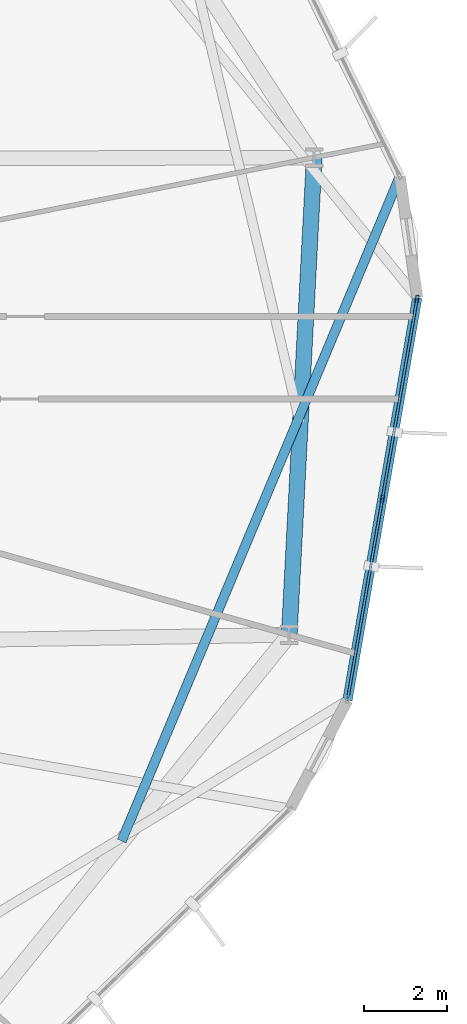
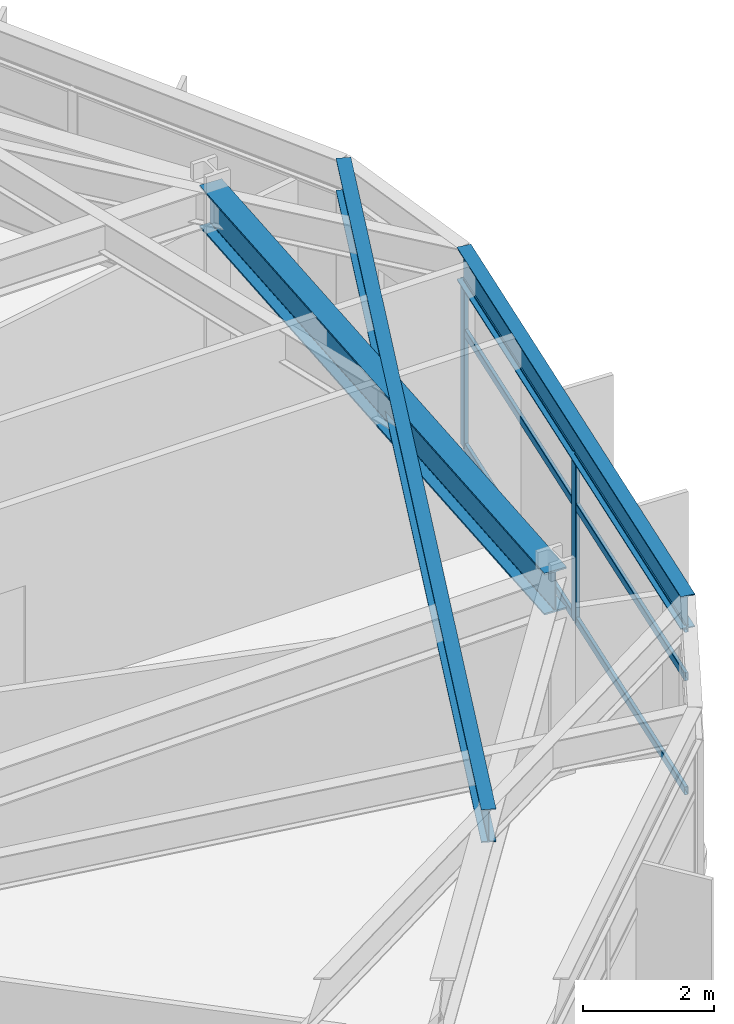
# One storey, part 9 of 22: 8 members, 3 beams, 1 element without a shape of its own.
"""IFC4 building model written with IfcOpenShell, lengths in metres."""

from ifc_helpers import new_model, si_unit, direction, frame, origin, origin_2d, place, context, subcontext, project, spatial, hollow_rectangle, i_section, extrude, material, layer, layer_set, material_profile, profile_set, type_object, element, aggregate, save


model = new_model("IFC4")

# Units and contexts
model_context = context("Model", 3, precision=1e-05, world=origin(), true_north=direction((0.0, 1.0)))
body_context = subcontext(model_context, "Body", "Model", "MODEL_VIEW")
ifc_project = project(units=[si_unit("LENGTHUNIT", "METRE"), si_unit("AREAUNIT", "SQUARE_METRE"), si_unit("VOLUMEUNIT", "CUBIC_METRE"), si_unit("PLANEANGLEUNIT", "RADIAN"), si_unit("MASSUNIT", "GRAM", prefix="KILO")], contexts=[model_context])

# Site, building, storey
site_placement = place(None, origin())
site = spatial("IfcSite", under=ifc_project, at=site_placement, CompositionType="ELEMENT")
building_placement = place(site_placement, origin())
building = spatial("IfcBuilding", under=site, at=building_placement, Name="Soratama Intermodal Tower", CompositionType="ELEMENT")
storey_placement = place(building_placement, frame((0.0, 0.0, 58.60009765625)))
storey = spatial("IfcBuildingStorey", under=building, at=storey_placement, Name="L13", CompositionType="ELEMENT", Elevation=58.60009765625)

# Beams
ifc_material_1 = material(Name="Structural steel ASTM A992 Grade 50", Category="steel")
ifc_material_profile_1 = material_profile(ifc_material_1, i_section(OverallWidth=0.382080078125, OverallDepth=0.779052734375, WebThickness=0.01806640625, FlangeThickness=0.030029296875, FilletRadius=0.01806640625, at=origin_2d()), Name="W30X191")
ifc_profile_set_1 = profile_set([ifc_material_profile_1], Name="Structural steel ASTM A992 Grade 50")
beam_type_1 = type_object("IfcBeamType", Name="BM-RING-W30X191", PredefinedType="BEAM", material=ifc_profile_set_1)
beam_1_placement = place(storey_placement, frame((62.47705078125, 18.291015625, 3.310302734375), z_axis=(0.052289698717, 0.998631957935, 0.0), x_axis=(-0.998631957935, 0.052289698717, 0.0)))
element("IfcBeam", 1, at=beam_1_placement, inside=storey, type_object=beam_type_1, Name="BM-L13-RING-10", PredefinedType="BEAM", context=body_context, shape_type="SweptSolid", body=[
    extrude(i_section(OverallWidth=0.382080078125, OverallDepth=0.779052734375, WebThickness=0.01806640625, FlangeThickness=0.030029296875, FilletRadius=0.01806640625, at=origin_2d()), origin(), (0.0, 0.0, 1.0), 11.56982421875),
])
ifc_material_2 = material(Name="Structural steel ASTM A992 Grade 50", Category="steel")
ifc_material_profile_2 = material_profile(ifc_material_2, i_section(OverallWidth=0.22900390625, OverallDepth=0.612060546875, WebThickness=0.011962890625, FlangeThickness=0.01953125, FilletRadius=0.012939453125, at=origin_2d()), Name="W24X84")
ifc_profile_set_2 = profile_set([ifc_material_profile_2], Name="Structural steel ASTM A992 Grade 50")
beam_type_2 = type_object("IfcBeamType", Name="BM-SPN-W24X84", PredefinedType="SPANDREL", material=ifc_profile_set_2)
beam_2_placement = place(storey_placement, frame((63.885986328125, 16.702880859375, 3.393798828125), z_axis=(0.170797583075, 0.985306138018, 0.0), x_axis=(-0.985306138018, 0.170797583075, 0.0)))
element("IfcBeam", 2, at=beam_2_placement, inside=storey, type_object=beam_type_2, Name="BS-L13-F10", PredefinedType="SPANDREL", context=body_context, shape_type="SweptSolid", body=[
    extrude(i_section(OverallWidth=0.22900390625, OverallDepth=0.612060546875, WebThickness=0.011962890625, FlangeThickness=0.01953125, FilletRadius=0.012939453125, at=origin_2d()), origin(), (0.0, 0.0, 1.0), 9.89453125),
])
ifc_material_3 = material(Name="Structural steel ASTM A992 Grade 50", Category="steel")
ifc_material_profile_3 = material_profile(ifc_material_3, i_section(OverallWidth=0.22900390625, OverallDepth=0.612060546875, WebThickness=0.011962890625, FlangeThickness=0.01953125, FilletRadius=0.012939453125, at=origin_2d()), Name="W24X84")
ifc_profile_set_3 = profile_set([ifc_material_profile_3], Name="Structural steel ASTM A992 Grade 50")
beam_type_3 = type_object("IfcBeamType", Name="BM-TIE-W24X84", PredefinedType="BEAM", material=ifc_profile_set_3)
beam_3_placement = place(storey_placement, frame((58.419921875, 13.299072265625, 3.393798828125), z_axis=(0.38612950195, 0.922444582467, 0.0), x_axis=(-0.922444582467, 0.38612950195, 0.0)))
element("IfcBeam", 3, at=beam_3_placement, inside=storey, type_object=beam_type_3, Name="BM-L13-TIE0-01", PredefinedType="BEAM", context=body_context, shape_type="SweptSolid", body=[
    extrude(i_section(OverallWidth=0.22900390625, OverallDepth=0.612060546875, WebThickness=0.011962890625, FlangeThickness=0.01953125, FilletRadius=0.012939453125, at=origin_2d()), origin(), (0.0, 0.0, 1.0), 17.442626953125),
])

# Curtain wall, members
ifc_material_4 = material(Name="Double-glazed aluminium curtain wall", Category="aluminium")
ifc_layer = layer(ifc_material_4, 0.159912109375)
ifc_layer_set = layer_set([ifc_layer], Name="Double-glazed aluminium curtain wall")
curtain_wall_type = type_object("IfcCurtainWallType", Name="CW-SYS-2", PredefinedType="NOTDEFINED", material=ifc_layer_set)
curtain_wall_placement = place(storey_placement, origin())
curtain_wall = element("IfcCurtainWall", 4, at=curtain_wall_placement, inside=storey, type_object=curtain_wall_type, Name="L13 Faceted Curtain Wall F10", PredefinedType="NOTDEFINED")
ifc_material_5 = material(Name="Anodised aluminium AA 6063-T6", Category="aluminium")
ifc_material_profile_4 = material_profile(ifc_material_5, hollow_rectangle(XDim=0.074951171875, YDim=0.179931640625, WallThickness=0.006103515625, InnerFilletRadius=0.006103515625, OuterFilletRadius=0.011962890625, at=origin_2d()), Name="CWM180X75X6")
ifc_profile_set_4 = profile_set([ifc_material_profile_4], Name="Anodised aluminium AA 6063-T6")
member_type_1 = type_object("IfcMemberType", Name="MT-CWM-2", PredefinedType="MULLION", material=ifc_profile_set_4)
member_1_placement = place(storey_placement, frame((64.73095703125, 21.57763671875, 0.0), z_axis=(0.0, 0.0, 1.0), x_axis=(-0.985288579812, 0.170898842866, 0.0)))
member_1 = element("IfcMember", 5, at=member_1_placement, type_object=member_type_1, Name="CW-2 mullion 2", PredefinedType="MULLION", context=body_context, shape_type="SweptSolid", body=[
    extrude(hollow_rectangle(XDim=0.074951171875, YDim=0.179931640625, WallThickness=0.006103515625, InnerFilletRadius=0.006103515625, OuterFilletRadius=0.011962890625, at=origin_2d()), origin(), (0.0, 0.0, 1.0), 3.078857421875),
])
member_2_placement = place(storey_placement, frame((65.5712890625, 26.42236328125, 0.0), z_axis=(0.0, 0.0, 1.0), x_axis=(-0.985288579812, 0.170898842866, 0.0)))
member_2 = element("IfcMember", 6, at=member_2_placement, type_object=member_type_1, Name="CW-2 mullion 3", PredefinedType="MULLION", context=body_context, shape_type="SweptSolid", body=[
    extrude(hollow_rectangle(XDim=0.074951171875, YDim=0.179931640625, WallThickness=0.006103515625, InnerFilletRadius=0.006103515625, OuterFilletRadius=0.011962890625, at=origin_2d()), origin(), (0.0, 0.0, 1.0), 3.078857421875),
])
ifc_material_6 = material(Name="Anodised aluminium AA 6063-T6", Category="aluminium")
ifc_material_profile_5 = material_profile(ifc_material_6, hollow_rectangle(XDim=0.06494140625, YDim=0.14990234375, WallThickness=0.0048828125, InnerFilletRadius=0.0048828125, OuterFilletRadius=0.010009765625, at=origin_2d()), Name="CWT150X65X5")
ifc_profile_set_5 = profile_set([ifc_material_profile_5], Name="Anodised aluminium AA 6063-T6")
member_type_2 = type_object("IfcMemberType", Name="TT-CWT-1", PredefinedType="USERDEFINED", material=ifc_profile_set_5)
member_3_placement = place(storey_placement, frame((63.895751953125, 16.762451171875, 0.02978515625), z_axis=(0.17089993507, 0.985288390367, 0.0), x_axis=(-0.985288390367, 0.17089993507, 0.0)))
member_3 = element("IfcMember", 7, at=member_3_placement, type_object=member_type_2, Name="CW-2 transom 1.1", ObjectType="TRANSOM", PredefinedType="USERDEFINED", context=body_context, shape_type="SweptSolid", body=[
    extrude(hollow_rectangle(XDim=0.06494140625, YDim=0.14990234375, WallThickness=0.0048828125, InnerFilletRadius=0.0048828125, OuterFilletRadius=0.010009765625, at=origin_2d()), origin(), (0.0, 0.0, 1.0), 4.857177734375),
])
member_4_placement = place(storey_placement, frame((63.895751953125, 16.762451171875, 2.14990234375), z_axis=(0.17089993507, 0.985288390367, 0.0), x_axis=(-0.985288390367, 0.17089993507, 0.0)))
member_4 = element("IfcMember", 8, at=member_4_placement, type_object=member_type_2, Name="CW-2 transom 1.2", ObjectType="TRANSOM", PredefinedType="USERDEFINED", context=body_context, shape_type="SweptSolid", body=[
    extrude(hollow_rectangle(XDim=0.06494140625, YDim=0.14990234375, WallThickness=0.0048828125, InnerFilletRadius=0.0048828125, OuterFilletRadius=0.010009765625, at=origin_2d()), origin(), (0.0, 0.0, 1.0), 4.857177734375),
])
member_5_placement = place(storey_placement, frame((63.895751953125, 16.762451171875, 3.048828125), z_axis=(0.17089993507, 0.985288390367, 0.0), x_axis=(-0.985288390367, 0.17089993507, 0.0)))
member_5 = element("IfcMember", 9, at=member_5_placement, type_object=member_type_2, Name="CW-2 transom 1.3", ObjectType="TRANSOM", PredefinedType="USERDEFINED", context=body_context, shape_type="SweptSolid", body=[
    extrude(hollow_rectangle(XDim=0.06494140625, YDim=0.14990234375, WallThickness=0.0048828125, InnerFilletRadius=0.0048828125, OuterFilletRadius=0.010009765625, at=origin_2d()), origin(), (0.0, 0.0, 1.0), 4.857177734375),
])
member_6_placement = place(storey_placement, frame((64.736083984375, 21.607177734375, 0.02978515625), z_axis=(0.17089993507, 0.985288390367, 0.0), x_axis=(-0.985288390367, 0.17089993507, 0.0)))
member_6 = element("IfcMember", 10, at=member_6_placement, type_object=member_type_2, Name="CW-2 transom 2.1", ObjectType="TRANSOM", PredefinedType="USERDEFINED", context=body_context, shape_type="SweptSolid", body=[
    extrude(hollow_rectangle(XDim=0.06494140625, YDim=0.14990234375, WallThickness=0.0048828125, InnerFilletRadius=0.0048828125, OuterFilletRadius=0.010009765625, at=origin_2d()), origin(), (0.0, 0.0, 1.0), 4.857177734375),
])
member_7_placement = place(storey_placement, frame((64.736083984375, 21.607177734375, 2.14990234375), z_axis=(0.17089993507, 0.985288390367, 0.0), x_axis=(-0.985288390367, 0.17089993507, 0.0)))
member_7 = element("IfcMember", 11, at=member_7_placement, type_object=member_type_2, Name="CW-2 transom 2.2", ObjectType="TRANSOM", PredefinedType="USERDEFINED", context=body_context, shape_type="SweptSolid", body=[
    extrude(hollow_rectangle(XDim=0.06494140625, YDim=0.14990234375, WallThickness=0.0048828125, InnerFilletRadius=0.0048828125, OuterFilletRadius=0.010009765625, at=origin_2d()), origin(), (0.0, 0.0, 1.0), 4.857177734375),
])
member_8_placement = place(storey_placement, frame((64.736083984375, 21.607177734375, 3.048828125), z_axis=(0.17089993507, 0.985288390367, 0.0), x_axis=(-0.985288390367, 0.17089993507, 0.0)))
member_8 = element("IfcMember", 12, at=member_8_placement, type_object=member_type_2, Name="CW-2 transom 2.3", ObjectType="TRANSOM", PredefinedType="USERDEFINED", context=body_context, shape_type="SweptSolid", body=[
    extrude(hollow_rectangle(XDim=0.06494140625, YDim=0.14990234375, WallThickness=0.0048828125, InnerFilletRadius=0.0048828125, OuterFilletRadius=0.010009765625, at=origin_2d()), origin(), (0.0, 0.0, 1.0), 4.857177734375),
])
aggregate(curtain_wall, [member_1, member_2, member_3, member_4, member_5, member_6, member_7, member_8])

save(model, "model.ifc")
